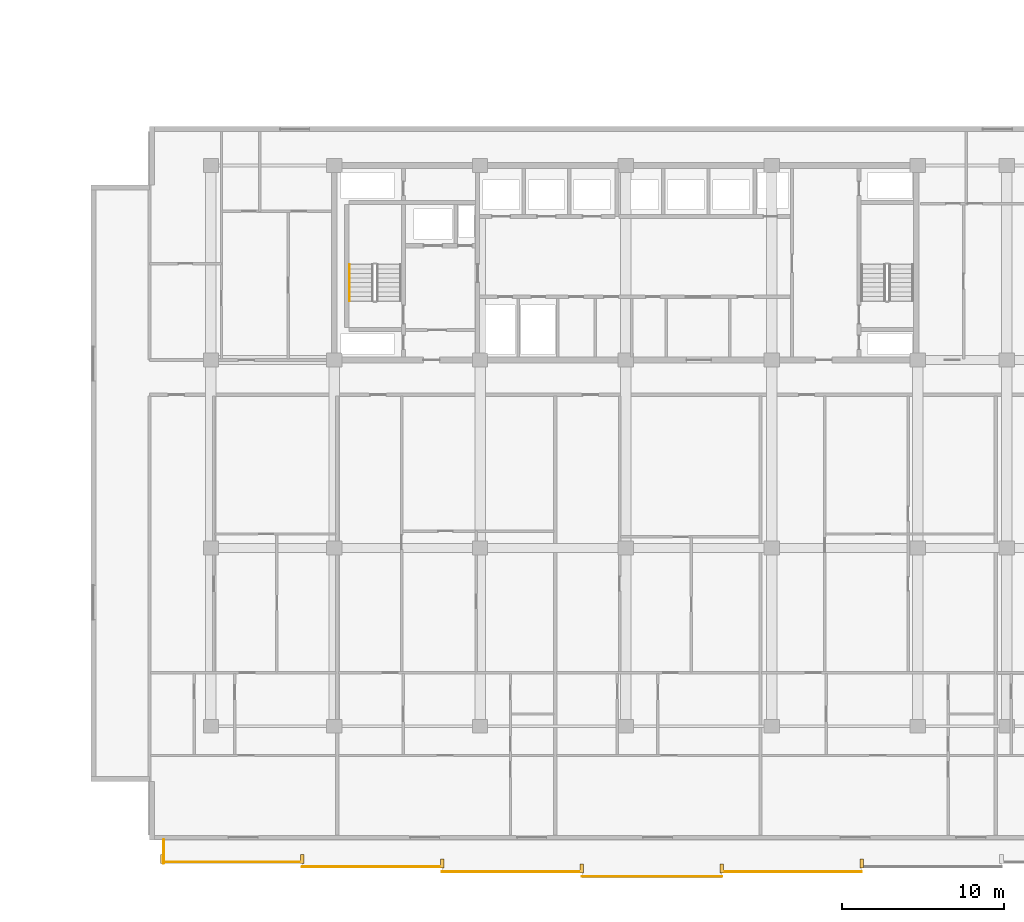
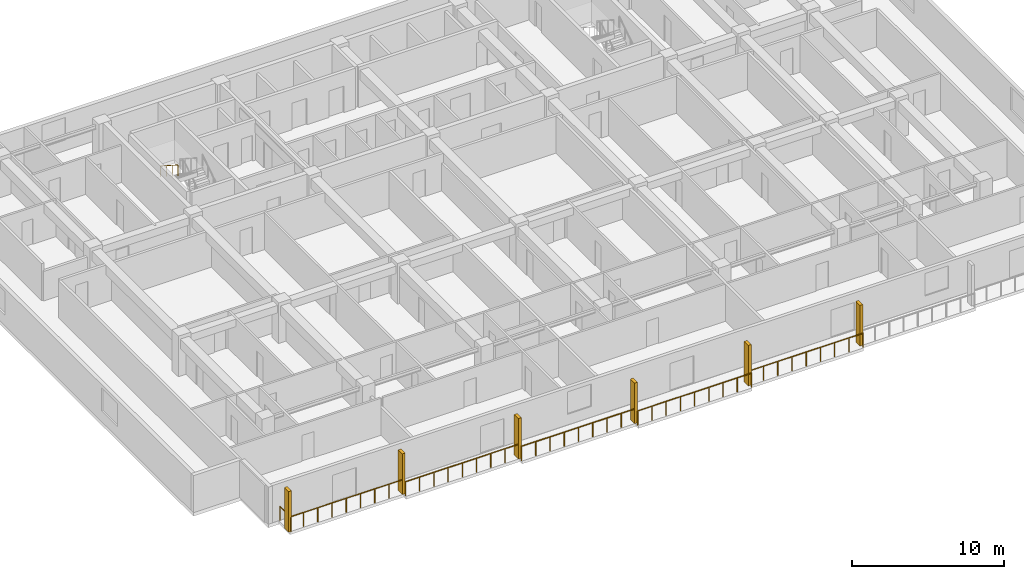
# One storey, part 20 of 24: 7 railings, 6 shading devices.
"""IFC4 building model written with IfcOpenShell, lengths in metres."""

from ifc_helpers import new_model, si_unit, direction, frame, origin, origin_2d, place, context, subcontext, project, spatial, rectangle, circle, extrude, material, type_object, element, save


model = new_model("IFC4")

# Units and contexts
model_context = context("Model", 3, precision=1e-05, world=origin(), true_north=direction((0.0, 1.0)))
body_context = subcontext(model_context, "Body", "Model", "MODEL_VIEW")
ifc_project = project(units=[si_unit("LENGTHUNIT", "METRE"), si_unit("AREAUNIT", "SQUARE_METRE"), si_unit("VOLUMEUNIT", "CUBIC_METRE"), si_unit("PLANEANGLEUNIT", "RADIAN"), si_unit("MASSUNIT", "GRAM", prefix="KILO")], contexts=[model_context])

# Site, building, storey
site_placement = place(None, origin())
site = spatial("IfcSite", under=ifc_project, at=site_placement, CompositionType="ELEMENT")
building_placement = place(site_placement, origin())
building = spatial("IfcBuilding", under=site, at=building_placement, Name="Korimba Cascade Residences", CompositionType="ELEMENT")
storey_placement = place(building_placement, frame((0.0, 0.0, 66.25)))
storey = spatial("IfcBuildingStorey", under=building, at=storey_placement, Name="L18", CompositionType="ELEMENT", Elevation=66.25)

# Railings
ifc_material_1 = material(Name="Laminated Glass and Bronze Balustrade", Category="glass")
railing_type_1 = type_object("IfcRailingType", Name="RLG-LOG-1150", PredefinedType="BALUSTRADE", material=ifc_material_1)
railing_1_placement = place(storey_placement, frame((71.5, -12.570068359375, 0.0)))
element("IfcRailing", 1, at=railing_1_placement, inside=storey, type_object=railing_type_1, Name="L18 Perimeter Guardrail RLG-L18-T2-LOG-01", PredefinedType="BALUSTRADE", context=body_context, shape_type="SweptSolid", body=[
    extrude(circle(Radius=0.02392578125, at=origin_2d()), frame((0.0, 0.0, 1.1259765625), z_axis=(1.0, 0.0, 0.0), x_axis=(0.0, 1.0, 0.0)), (0.0, 0.0, 1.0), 8.628662109375),
    extrude(circle(Radius=0.02099609375, at=origin_2d()), origin(), (0.0, 0.0, 1.0), 1.101806640625),
    extrude(circle(Radius=0.02099609375, at=origin_2d()), frame((1.07861328125, 0.0, 0.0)), (0.0, 0.0, 1.0), 1.101806640625),
    extrude(circle(Radius=0.02099609375, at=origin_2d()), frame((2.1572265625, 0.0, 0.0)), (0.0, 0.0, 1.0), 1.101806640625),
    extrude(circle(Radius=0.02099609375, at=origin_2d()), frame((3.23583984375, 0.0, 0.0)), (0.0, 0.0, 1.0), 1.101806640625),
    extrude(circle(Radius=0.02099609375, at=origin_2d()), frame((4.314453125, 0.0, 0.0)), (0.0, 0.0, 1.0), 1.101806640625),
    extrude(circle(Radius=0.02099609375, at=origin_2d()), frame((5.392822265625, 0.0, 0.0)), (0.0, 0.0, 1.0), 1.101806640625),
    extrude(circle(Radius=0.02099609375, at=origin_2d()), frame((6.471435546875, 0.0, 0.0)), (0.0, 0.0, 1.0), 1.101806640625),
    extrude(circle(Radius=0.02099609375, at=origin_2d()), frame((7.550048828125, 0.0, 0.0)), (0.0, 0.0, 1.0), 1.101806640625),
    extrude(circle(Radius=0.02099609375, at=origin_2d()), frame((8.628662109375, 0.0, 0.0)), (0.0, 0.0, 1.0), 1.101806640625),
])
railing_2_placement = place(storey_placement, frame((80.128662109375, -12.8701171875, 0.0)))
element("IfcRailing", 2, at=railing_2_placement, inside=storey, type_object=railing_type_1, Name="L18 Perimeter Guardrail RLG-L18-T2-LOG-02", PredefinedType="BALUSTRADE", context=body_context, shape_type="SweptSolid", body=[
    extrude(circle(Radius=0.02392578125, at=origin_2d()), frame((0.0, 0.0, 1.1259765625), z_axis=(1.0, 0.0, 0.0), x_axis=(0.0, 1.0, 0.0)), (0.0, 0.0, 1.0), 8.62841796875),
    extrude(circle(Radius=0.02099609375, at=origin_2d()), origin(), (0.0, 0.0, 1.0), 1.101806640625),
    extrude(circle(Radius=0.02099609375, at=origin_2d()), frame((1.07861328125, 0.0, 0.0)), (0.0, 0.0, 1.0), 1.101806640625),
    extrude(circle(Radius=0.02099609375, at=origin_2d()), frame((2.1572265625, 0.0, 0.0)), (0.0, 0.0, 1.0), 1.101806640625),
    extrude(circle(Radius=0.02099609375, at=origin_2d()), frame((3.235595703125, 0.0, 0.0)), (0.0, 0.0, 1.0), 1.101806640625),
    extrude(circle(Radius=0.02099609375, at=origin_2d()), frame((4.314208984375, 0.0, 0.0)), (0.0, 0.0, 1.0), 1.101806640625),
    extrude(circle(Radius=0.02099609375, at=origin_2d()), frame((5.392822265625, 0.0, 0.0)), (0.0, 0.0, 1.0), 1.101806640625),
    extrude(circle(Radius=0.02099609375, at=origin_2d()), frame((6.47119140625, 0.0, 0.0)), (0.0, 0.0, 1.0), 1.101806640625),
    extrude(circle(Radius=0.02099609375, at=origin_2d()), frame((7.5498046875, 0.0, 0.0)), (0.0, 0.0, 1.0), 1.101806640625),
    extrude(circle(Radius=0.02099609375, at=origin_2d()), frame((8.62841796875, 0.0, 0.0)), (0.0, 0.0, 1.0), 1.101806640625),
])
for number, where, name in (
    (3, (88.757080078125, -13.169921875, 0.0), "L18 Perimeter Guardrail RLG-L18-T2-LOG-03"),
    (4, (97.3857421875, -13.469970703125, 0.0), "L18 Perimeter Guardrail RLG-L18-T2-LOG-04"),
):
    element("IfcRailing", number, at=place(storey_placement, frame(where)), inside=storey, type_object=railing_type_1, Name=name, PredefinedType="BALUSTRADE", context=body_context, shape_type="SweptSolid", body=[
        extrude(circle(Radius=0.02392578125, at=origin_2d()), frame((0.0, 0.0, 1.1259765625), z_axis=(1.0, 0.0, 0.0), x_axis=(0.0, 1.0, 0.0)), (0.0, 0.0, 1.0), 8.628662109375),
        extrude(circle(Radius=0.02099609375, at=origin_2d()), origin(), (0.0, 0.0, 1.0), 1.101806640625),
        extrude(circle(Radius=0.02099609375, at=origin_2d()), frame((1.07861328125, 0.0, 0.0)), (0.0, 0.0, 1.0), 1.101806640625),
        extrude(circle(Radius=0.02099609375, at=origin_2d()), frame((2.1572265625, 0.0, 0.0)), (0.0, 0.0, 1.0), 1.101806640625),
        extrude(circle(Radius=0.02099609375, at=origin_2d()), frame((3.23583984375, 0.0, 0.0)), (0.0, 0.0, 1.0), 1.101806640625),
        extrude(circle(Radius=0.02099609375, at=origin_2d()), frame((4.314453125, 0.0, 0.0)), (0.0, 0.0, 1.0), 1.101806640625),
        extrude(circle(Radius=0.02099609375, at=origin_2d()), frame((5.392822265625, 0.0, 0.0)), (0.0, 0.0, 1.0), 1.101806640625),
        extrude(circle(Radius=0.02099609375, at=origin_2d()), frame((6.471435546875, 0.0, 0.0)), (0.0, 0.0, 1.0), 1.101806640625),
        extrude(circle(Radius=0.02099609375, at=origin_2d()), frame((7.550048828125, 0.0, 0.0)), (0.0, 0.0, 1.0), 1.101806640625),
        extrude(circle(Radius=0.02099609375, at=origin_2d()), frame((8.628662109375, 0.0, 0.0)), (0.0, 0.0, 1.0), 1.101806640625),
    ])
railing_3_placement = place(storey_placement, frame((106.014404296875, -13.169921875, 0.0)))
element("IfcRailing", 5, at=railing_3_placement, inside=storey, type_object=railing_type_1, Name="L18 Perimeter Guardrail RLG-L18-T2-LOG-05", PredefinedType="BALUSTRADE", context=body_context, shape_type="SweptSolid", body=[
    extrude(circle(Radius=0.02392578125, at=origin_2d()), frame((0.0, 0.0, 1.1259765625), z_axis=(1.0, 0.0, 0.0), x_axis=(0.0, 1.0, 0.0)), (0.0, 0.0, 1.0), 8.62841796875),
    extrude(circle(Radius=0.02099609375, at=origin_2d()), origin(), (0.0, 0.0, 1.0), 1.101806640625),
    extrude(circle(Radius=0.02099609375, at=origin_2d()), frame((1.07861328125, 0.0, 0.0)), (0.0, 0.0, 1.0), 1.101806640625),
    extrude(circle(Radius=0.02099609375, at=origin_2d()), frame((2.1572265625, 0.0, 0.0)), (0.0, 0.0, 1.0), 1.101806640625),
    extrude(circle(Radius=0.02099609375, at=origin_2d()), frame((3.235595703125, 0.0, 0.0)), (0.0, 0.0, 1.0), 1.101806640625),
    extrude(circle(Radius=0.02099609375, at=origin_2d()), frame((4.314208984375, 0.0, 0.0)), (0.0, 0.0, 1.0), 1.101806640625),
    extrude(circle(Radius=0.02099609375, at=origin_2d()), frame((5.392822265625, 0.0, 0.0)), (0.0, 0.0, 1.0), 1.101806640625),
    extrude(circle(Radius=0.02099609375, at=origin_2d()), frame((6.47119140625, 0.0, 0.0)), (0.0, 0.0, 1.0), 1.101806640625),
    extrude(circle(Radius=0.02099609375, at=origin_2d()), frame((7.5498046875, 0.0, 0.0)), (0.0, 0.0, 1.0), 1.101806640625),
    extrude(circle(Radius=0.02099609375, at=origin_2d()), frame((8.62841796875, 0.0, 0.0)), (0.0, 0.0, 1.0), 1.101806640625),
])
railing_4_placement = place(storey_placement, frame((71.580078125, -11.199951171875, 0.0)))
element("IfcRailing", 6, at=railing_4_placement, inside=storey, type_object=railing_type_1, Name="L18 Perimeter Guardrail RLG-L18-T2-LOG-09", PredefinedType="BALUSTRADE", context=body_context, shape_type="SweptSolid", body=[
    extrude(circle(Radius=0.02392578125, at=origin_2d()), frame((0.0, 0.0, 1.1259765625), z_axis=(0.0, -1.0, 0.0), x_axis=(1.0, 0.0, 0.0)), (0.0, 0.0, 1.0), 1.449951171875),
    extrude(circle(Radius=0.02099609375, at=origin_2d()), origin(), (0.0, 0.0, 1.0), 1.101806640625),
    extrude(circle(Radius=0.02099609375, at=origin_2d()), frame((0.0, -0.72509765625, 0.0)), (0.0, 0.0, 1.0), 1.101806640625),
    extrude(circle(Radius=0.02099609375, at=origin_2d()), frame((0.0, -1.449951171875, 0.0)), (0.0, 0.0, 1.0), 1.101806640625),
])
ifc_material_2 = material(Name="Brushed Stainless Steel Handrail", Category="steel")
railing_type_2 = type_object("IfcRailingType", Name="RLG-ST-HR900", PredefinedType="HANDRAIL", material=ifc_material_2)
railing_5_placement = place(storey_placement, frame((83.050048828125, 24.2900390625, 1.989990234375)))
element("IfcRailing", 7, at=railing_5_placement, inside=storey, type_object=railing_type_2, Name="L18 ST-E1 stair handrail 2", PredefinedType="HANDRAIL", context=body_context, shape_type="SweptSolid", body=[
    extrude(circle(Radius=0.02392578125, at=origin_2d()), frame((0.0, 0.0, 0.8759765625), z_axis=(0.0, -0.840436612492, 0.541909863706), x_axis=(1.0, 0.0, 0.0)), (0.0, 0.0, 1.0), 2.665283203125),
    extrude(circle(Radius=0.02099609375, at=origin_2d()), origin(), (0.0, 0.0, 1.0), 0.851806640625),
    extrude(circle(Radius=0.02099609375, at=origin_2d()), frame((0.0, -0.74658203125, 0.4814453125)), (0.0, 0.0, 1.0), 0.851806640625),
    extrude(circle(Radius=0.02099609375, at=origin_2d()), frame((0.0, -1.493408203125, 0.962890625)), (0.0, 0.0, 1.0), 0.851806640625),
    extrude(circle(Radius=0.02099609375, at=origin_2d()), frame((0.0, -2.239990234375, 1.4443359375)), (0.0, 0.0, 1.0), 0.851806640625),
])

# Shading devices
ifc_material_3 = material(Name="Honed Sandstone Precast Fin", Category="masonry")
shading_device_type = type_object("IfcShadingDeviceType", Name="SHD-FIN-550", PredefinedType="USERDEFINED", material=ifc_material_3)
for number, where, z_axis, x_axis, name in (
    (8, (71.5, -12.375, 0.0), (0.0, 0.0, 1.0), (1.0, 0.0, 0.0), "L18 T2 Warm-Stone Loggia Fin 1"),
    (9, (80.128662109375, -12.375, 0.0), (0.0, 0.0, 1.0), (1.0, 0.0, 0.0), "L18 T2 Warm-Stone Loggia Fin 2"),
    (10, (88.757080078125, -12.675048828125, 0.0), (0.0, 0.0, 1.0), (1.0, 0.0, 0.0), "L18 T2 Warm-Stone Loggia Fin 3"),
    (11, (97.3857421875, -12.97509765625, 0.0), (0.0, 0.0, 1.0), (1.0, 0.0, 0.0), "L18 T2 Warm-Stone Loggia Fin 4"),
    (12, (106.014404296875, -12.97509765625, 0.0), (0.0, 0.0, 1.0), (1.0, 0.0, 0.0), "L18 T2 Warm-Stone Loggia Fin 5"),
    (13, (114.642822265625, -12.675048828125, 0.0), (0.0, 0.0, 1.0), (1.0, 0.0, 0.0), "L18 T2 Warm-Stone Loggia Fin 6"),
):
    element("IfcShadingDevice", number, at=place(storey_placement, frame(where, z_axis=z_axis, x_axis=x_axis)), inside=storey, type_object=shading_device_type, Name=name, ObjectType="FIN", PredefinedType="USERDEFINED", context=body_context, shape_type="SweptSolid", body=[
        extrude(rectangle(XDim=0.219970703125, YDim=0.550048828125, at=origin_2d()), origin(), (0.0, 0.0, 1.0), 3.25),
    ])

save(model, "model.ifc")
